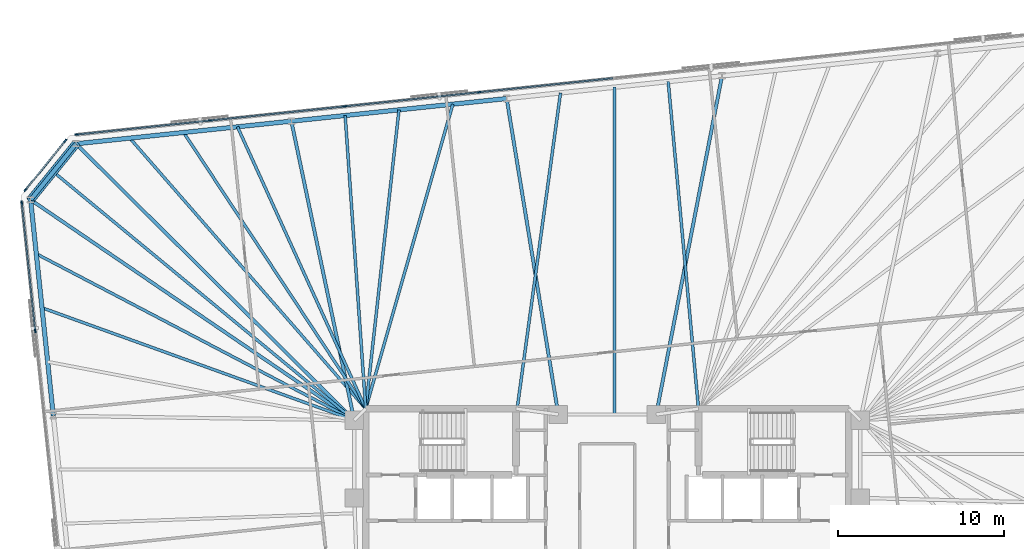
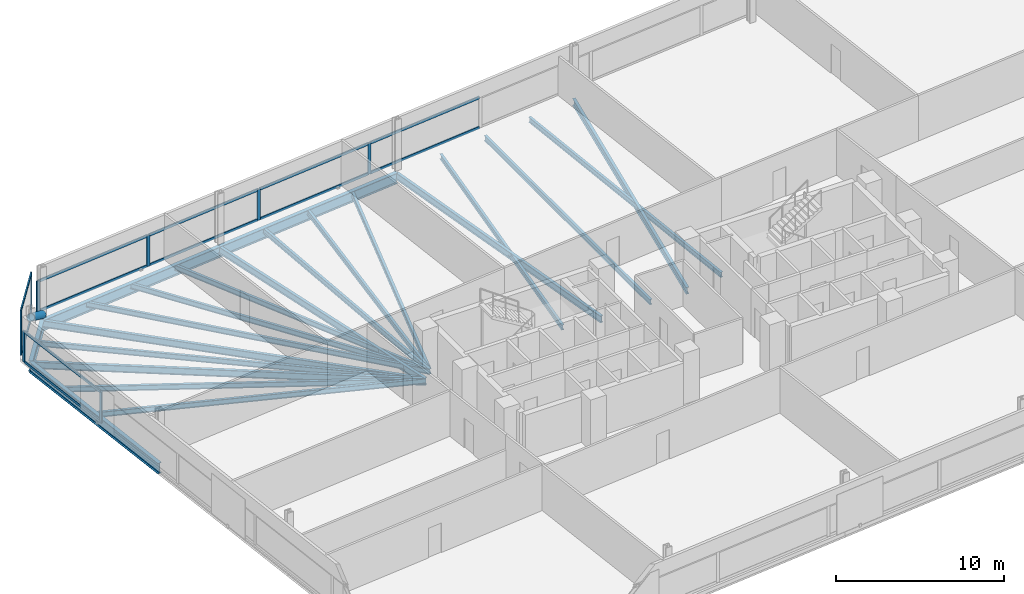
# One storey, part 9 of 18: 21 beams, 21 members, 3 elements without a shape of their own.
"""IFC4 building model written with IfcOpenShell, lengths in metres."""

from ifc_helpers import new_model, si_unit, direction, frame, origin, origin_2d, place, context, subcontext, project, spatial, rectangle, hollow_circle, i_section, extrude, material, material_profile, profile_set, type_object, element, aggregate, save


model = new_model("IFC4")

# Units and contexts
model_context = context("Model", 3, precision=1e-05, world=origin(), true_north=direction((0.0, 1.0)))
body_context = subcontext(model_context, "Body", "Model", "MODEL_VIEW")
ifc_project = project(units=[si_unit("LENGTHUNIT", "METRE"), si_unit("AREAUNIT", "SQUARE_METRE"), si_unit("VOLUMEUNIT", "CUBIC_METRE"), si_unit("PLANEANGLEUNIT", "RADIAN"), si_unit("MASSUNIT", "GRAM", prefix="KILO")], contexts=[model_context])

# Site, building, storey
site_placement = place(None, origin())
site = spatial("IfcSite", under=ifc_project, at=site_placement, CompositionType="ELEMENT")
building_placement = place(site_placement, origin())
building = spatial("IfcBuilding", under=site, at=building_placement, Name="Menara Jurai Vektor", CompositionType="ELEMENT")
storey_placement = place(building_placement, frame((0.0, 0.0, 139.199951171875)))
storey = spatial("IfcBuildingStorey", under=building, at=storey_placement, Name="L35", CompositionType="ELEMENT", Elevation=139.199951171875)

# Curtain wall, members
ifc_material_1 = material(Name="Anodised Pale Aluminium & Low-E Double Glazing", Category="aluminium")
curtain_wall_type = type_object("IfcCurtainWallType", Name="CW-BLK2", PredefinedType="NOTDEFINED", material=ifc_material_1)
curtain_wall_1_placement = place(storey_placement, origin())
curtain_wall_1 = element("IfcCurtainWall", 1, at=curtain_wall_1_placement, inside=storey, type_object=curtain_wall_type, Name="Unitised Curtain Wall L35 F05", PredefinedType="NOTDEFINED")
ifc_material_2 = material(Name="Anodised Pale Aluminium Mullion", Category="aluminium")
ifc_material_profile_1 = material_profile(ifc_material_2, rectangle(XDim=0.090087890625, YDim=0.219970703125, at=origin_2d()), Name="ALU MUL 90x220")
ifc_profile_set_1 = profile_set([ifc_material_profile_1], Name="Anodised Pale Aluminium Mullion")
member_type_1 = type_object("IfcMemberType", Name="CW-BLK2-MUL", PredefinedType="MULLION", material=ifc_profile_set_1)
member_1_placement = place(storey_placement, frame((-7.728271484375, 24.67138671875, 0.0), z_axis=(0.0, 0.0, 1.0), x_axis=(0.104528634935, -0.994521877325, 0.0)))
member_1 = element("IfcMember", 2, at=member_1_placement, type_object=member_type_1, Name="CW-02 mullion 6", PredefinedType="MULLION", context=body_context, shape_type="SweptSolid", body=[
    extrude(rectangle(XDim=0.090087890625, YDim=0.219970703125, at=origin_2d()), origin(), (0.0, 0.0, 1.0), 2.259033203125),
])
member_2_placement = place(storey_placement, frame((-15.826171875, 23.8203125, 0.0), z_axis=(0.0, 0.0, 1.0), x_axis=(0.104528634935, -0.994521877325, 0.0)))
member_2 = element("IfcMember", 3, at=member_2_placement, type_object=member_type_1, Name="CW-02 mullion 7", PredefinedType="MULLION", context=body_context, shape_type="SweptSolid", body=[
    extrude(rectangle(XDim=0.090087890625, YDim=0.219970703125, at=origin_2d()), origin(), (0.0, 0.0, 1.0), 2.259033203125),
])
member_3_placement = place(storey_placement, frame((-23.924072265625, 22.96923828125, 0.0), z_axis=(0.0, 0.0, 1.0), x_axis=(0.104528634935, -0.994521877325, 0.0)))
member_3 = element("IfcMember", 4, at=member_3_placement, type_object=member_type_1, Name="CW-02 mullion 8", PredefinedType="MULLION", context=body_context, shape_type="SweptSolid", body=[
    extrude(rectangle(XDim=0.090087890625, YDim=0.219970703125, at=origin_2d()), origin(), (0.0, 0.0, 1.0), 2.259033203125),
])
member_4_placement = place(storey_placement, frame((-31.97705078125, 22.122802734375, 0.0), z_axis=(0.0, 0.0, 1.0), x_axis=(0.104528634935, -0.994521877325, 0.0)))
member_4 = element("IfcMember", 5, at=member_4_placement, type_object=member_type_1, Name="CW-02 mullion 9", PredefinedType="MULLION", context=body_context, shape_type="SweptSolid", body=[
    extrude(rectangle(XDim=0.090087890625, YDim=0.219970703125, at=origin_2d()), origin(), (0.0, 0.0, 1.0), 2.259033203125),
])

curtain_wall_2_placement = place(storey_placement, origin())
curtain_wall_2 = element("IfcCurtainWall", 6, at=curtain_wall_2_placement, inside=storey, type_object=curtain_wall_type, Name="Unitised Curtain Wall L35 F06", PredefinedType="NOTDEFINED")
member_5_placement = place(storey_placement, frame((-32.667236328125, 21.748046875, 0.0), z_axis=(0.0, 0.0, 1.0), x_axis=(0.777129222223, -0.62934106172, 0.0)))
member_5 = element("IfcMember", 7, at=member_5_placement, type_object=member_type_1, Name="CW-02 mullion 1", PredefinedType="MULLION", context=body_context, shape_type="SweptSolid", body=[
    extrude(rectangle(XDim=0.090087890625, YDim=0.219970703125, at=origin_2d()), origin(), (0.0, 0.0, 1.0), 3.295166015625),
])
member_6_placement = place(storey_placement, frame((-35.0693359375, 18.781982421875, 0.0), z_axis=(0.0, 0.0, 1.0), x_axis=(0.777129222223, -0.62934106172, 0.0)))
member_6 = element("IfcMember", 8, at=member_6_placement, type_object=member_type_1, Name="CW-02 mullion 2", PredefinedType="MULLION", context=body_context, shape_type="SweptSolid", body=[
    extrude(rectangle(XDim=0.090087890625, YDim=0.219970703125, at=origin_2d()), origin(), (0.0, 0.0, 1.0), 3.295166015625),
])

curtain_wall_3_placement = place(storey_placement, origin())
curtain_wall_3 = element("IfcCurtainWall", 9, at=curtain_wall_3_placement, inside=storey, type_object=curtain_wall_type, Name="Unitised Curtain Wall L35 F07", PredefinedType="NOTDEFINED")
member_7_placement = place(storey_placement, frame((-35.29248046875, 18.029052734375, 0.0), z_axis=(0.0, 0.0, 1.0), x_axis=(0.99452177832, 0.104529576902, 0.0)))
member_7 = element("IfcMember", 10, at=member_7_placement, type_object=member_type_1, Name="CW-02 mullion 1", PredefinedType="MULLION", context=body_context, shape_type="SweptSolid", body=[
    extrude(rectangle(XDim=0.090087890625, YDim=0.219970703125, at=origin_2d()), origin(), (0.0, 0.0, 1.0), 2.259033203125),
])
member_8_placement = place(storey_placement, frame((-34.478759765625, 10.28857421875, 0.0), z_axis=(0.0, 0.0, 1.0), x_axis=(0.99452177832, 0.104529576902, 0.0)))
member_8 = element("IfcMember", 11, at=member_8_placement, type_object=member_type_1, Name="CW-02 mullion 2", PredefinedType="MULLION", context=body_context, shape_type="SweptSolid", body=[
    extrude(rectangle(XDim=0.090087890625, YDim=0.219970703125, at=origin_2d()), origin(), (0.0, 0.0, 1.0), 2.259033203125),
])

# Member
ifc_material_3 = material(Name="Anodised Pale Aluminium Transom", Category="aluminium")
ifc_material_profile_2 = material_profile(ifc_material_3, rectangle(XDim=0.090087890625, YDim=0.18505859375, at=origin_2d()), Name="ALU TRN 90x185")
ifc_profile_set_2 = profile_set([ifc_material_profile_2], Name="Anodised Pale Aluminium Transom")
member_type_2 = type_object("IfcMemberType", Name="CW-BLK2-TRN", PredefinedType="USERDEFINED", material=ifc_profile_set_2)
member_9_placement = place(storey_placement, frame((0.324951171875, 25.517822265625, 0.045166015625), z_axis=(-0.99452387809, -0.104509597213, 0.0), x_axis=(0.104509597213, -0.99452387809, 0.0)))
member_9 = element("IfcMember", 12, at=member_9_placement, type_object=member_type_2, Name="CW-02 transom 5.1", ObjectType="TRANSOM", PredefinedType="USERDEFINED", context=body_context, shape_type="SweptSolid", body=[
    extrude(rectangle(XDim=0.090087890625, YDim=0.18505859375, at=origin_2d()), origin(), (0.0, 0.0, 1.0), 8.052490234375),
])

member_10_placement = place(storey_placement, frame((0.324951171875, 25.517822265625, 2.214111328125), z_axis=(-0.99452387809, -0.104509597213, 0.0), x_axis=(0.104509597213, -0.99452387809, 0.0)))
member_10 = element("IfcMember", 13, at=member_10_placement, type_object=member_type_2, Name="CW-02 transom 5.2", ObjectType="TRANSOM", PredefinedType="USERDEFINED", context=body_context, shape_type="SweptSolid", body=[
    extrude(rectangle(XDim=0.090087890625, YDim=0.18505859375, at=origin_2d()), origin(), (0.0, 0.0, 1.0), 8.052490234375),
])

member_11_placement = place(storey_placement, frame((-7.77294921875, 24.666748046875, 0.045166015625), z_axis=(-0.994520726373, -0.10453958492, 0.0), x_axis=(0.10453958492, -0.994520726373, 0.0)))
member_11 = element("IfcMember", 14, at=member_11_placement, type_object=member_type_2, Name="CW-02 transom 6.1", ObjectType="TRANSOM", PredefinedType="USERDEFINED", context=body_context, shape_type="SweptSolid", body=[
    extrude(rectangle(XDim=0.090087890625, YDim=0.18505859375, at=origin_2d()), origin(), (0.0, 0.0, 1.0), 8.052490234375),
])

member_12_placement = place(storey_placement, frame((-7.77294921875, 24.666748046875, 2.214111328125), z_axis=(-0.994520726373, -0.10453958492, 0.0), x_axis=(0.10453958492, -0.994520726373, 0.0)))
member_12 = element("IfcMember", 15, at=member_12_placement, type_object=member_type_2, Name="CW-02 transom 6.2", ObjectType="TRANSOM", PredefinedType="USERDEFINED", context=body_context, shape_type="SweptSolid", body=[
    extrude(rectangle(XDim=0.090087890625, YDim=0.18505859375, at=origin_2d()), origin(), (0.0, 0.0, 1.0), 8.052490234375),
])

member_13_placement = place(storey_placement, frame((-15.870849609375, 23.815673828125, 0.045166015625), z_axis=(-0.994520726373, -0.10453958492, 0.0), x_axis=(0.10453958492, -0.994520726373, 0.0)))
member_13 = element("IfcMember", 16, at=member_13_placement, type_object=member_type_2, Name="CW-02 transom 7.1", ObjectType="TRANSOM", PredefinedType="USERDEFINED", context=body_context, shape_type="SweptSolid", body=[
    extrude(rectangle(XDim=0.090087890625, YDim=0.18505859375, at=origin_2d()), origin(), (0.0, 0.0, 1.0), 8.052490234375),
])

member_14_placement = place(storey_placement, frame((-15.870849609375, 23.815673828125, 2.214111328125), z_axis=(-0.994520726373, -0.10453958492, 0.0), x_axis=(0.10453958492, -0.994520726373, 0.0)))
member_14 = element("IfcMember", 17, at=member_14_placement, type_object=member_type_2, Name="CW-02 transom 7.2", ObjectType="TRANSOM", PredefinedType="USERDEFINED", context=body_context, shape_type="SweptSolid", body=[
    extrude(rectangle(XDim=0.090087890625, YDim=0.18505859375, at=origin_2d()), origin(), (0.0, 0.0, 1.0), 8.052490234375),
])

member_15_placement = place(storey_placement, frame((-23.96875, 22.964599609375, 0.045166015625), z_axis=(-0.994519977808, -0.104546706027, 0.0), x_axis=(0.104546706027, -0.994519977808, 0.0)))
member_15 = element("IfcMember", 18, at=member_15_placement, type_object=member_type_2, Name="CW-02 transom 8.1", ObjectType="TRANSOM", PredefinedType="USERDEFINED", context=body_context, shape_type="SweptSolid", body=[
    extrude(rectangle(XDim=0.090087890625, YDim=0.18505859375, at=origin_2d()), origin(), (0.0, 0.0, 1.0), 8.007568359375),
])

member_16_placement = place(storey_placement, frame((-23.96875, 22.964599609375, 2.214111328125), z_axis=(-0.994519977808, -0.104546706027, 0.0), x_axis=(0.104546706027, -0.994519977808, 0.0)))
member_16 = element("IfcMember", 19, at=member_16_placement, type_object=member_type_2, Name="CW-02 transom 8.2", ObjectType="TRANSOM", PredefinedType="USERDEFINED", context=body_context, shape_type="SweptSolid", body=[
    extrude(rectangle(XDim=0.090087890625, YDim=0.18505859375, at=origin_2d()), origin(), (0.0, 0.0, 1.0), 8.007568359375),
])

aggregate(curtain_wall_1, [member_1, member_2, member_3, member_4, member_9, member_10, member_11, member_12, member_13, member_14, member_15, member_16])

member_17_placement = place(storey_placement, frame((-32.695556640625, 21.713134765625, 0.045166015625), z_axis=(-0.6293414396, -0.777128916205, 0.0), x_axis=(0.777128916205, -0.6293414396, 0.0)))
member_17 = element("IfcMember", 20, at=member_17_placement, type_object=member_type_2, Name="CW-02 transom 1.1", ObjectType="TRANSOM", PredefinedType="USERDEFINED", context=body_context, shape_type="SweptSolid", body=[
    extrude(rectangle(XDim=0.090087890625, YDim=0.18505859375, at=origin_2d()), origin(), (0.0, 0.0, 1.0), 3.726806640625),
])

member_18_placement = place(storey_placement, frame((-32.695556640625, 21.713134765625, 3.25), z_axis=(-0.6293414396, -0.777128916205, 0.0), x_axis=(0.777128916205, -0.6293414396, 0.0)))
member_18 = element("IfcMember", 21, at=member_18_placement, type_object=member_type_2, Name="CW-02 transom 1.2", ObjectType="TRANSOM", PredefinedType="USERDEFINED", context=body_context, shape_type="SweptSolid", body=[
    extrude(rectangle(XDim=0.090087890625, YDim=0.18505859375, at=origin_2d()), origin(), (0.0, 0.0, 1.0), 3.726806640625),
])

aggregate(curtain_wall_2, [member_5, member_6, member_17, member_18])

member_19_placement = place(storey_placement, frame((-35.28759765625, 17.984130859375, 0.045166015625), z_axis=(0.104504716935, -0.994524390922, 0.0), x_axis=(0.994524390922, 0.104504716935, 0.0)))
member_19 = element("IfcMember", 22, at=member_19_placement, type_object=member_type_2, Name="CW-02 transom 1.1", ObjectType="TRANSOM", PredefinedType="USERDEFINED", context=body_context, shape_type="SweptSolid", body=[
    extrude(rectangle(XDim=0.090087890625, YDim=0.18505859375, at=origin_2d()), origin(), (0.0, 0.0, 1.0), 7.693115234375),
])

member_20_placement = place(storey_placement, frame((-35.28759765625, 17.984130859375, 2.214111328125), z_axis=(0.104504716935, -0.994524390922, 0.0), x_axis=(0.994524390922, 0.104504716935, 0.0)))
member_20 = element("IfcMember", 23, at=member_20_placement, type_object=member_type_2, Name="CW-02 transom 1.2", ObjectType="TRANSOM", PredefinedType="USERDEFINED", context=body_context, shape_type="SweptSolid", body=[
    extrude(rectangle(XDim=0.090087890625, YDim=0.18505859375, at=origin_2d()), origin(), (0.0, 0.0, 1.0), 7.693115234375),
])

aggregate(curtain_wall_3, [member_7, member_8, member_19, member_20])

# Beams
ifc_material_4 = material(Name="Steel S355", Category="steel")
ifc_material_profile_3 = material_profile(ifc_material_4, i_section(OverallWidth=0.199951171875, OverallDepth=0.5, WebThickness=0.011962890625, FlangeThickness=0.02001953125, at=origin_2d()), Name="PG 500x200x96")
ifc_profile_set_3 = profile_set([ifc_material_profile_3], Name="Steel S355")
beam_type_1 = type_object("IfcBeamType", Name="STR-BM-500", PredefinedType="BEAM", material=ifc_profile_set_3)
beam_1_placement = place(storey_placement, frame((6.9169921875, 25.65771484375, -0.474853515625), z_axis=(-0.190817481746, -0.981625533826, 0.0), x_axis=(0.981625533826, -0.190817481746, 0.0)))
element("IfcBeam", 24, at=beam_1_placement, inside=storey, type_object=beam_type_1, Name="Radial Floor Girder L35-N3", PredefinedType="BEAM", context=body_context, shape_type="SweptSolid", body=[
    extrude(i_section(OverallWidth=0.199951171875, OverallDepth=0.5, WebThickness=0.011962890625, FlangeThickness=0.02001953125, at=origin_2d()), origin(), (0.0, 0.0, 1.0), 20.789794921875),
])
beam_2_placement = place(storey_placement, frame((-6.0625, 24.29345703125, -0.474853515625), z_axis=(0.161304178177, -0.986904738109, 0.0), x_axis=(0.986904738109, 0.161304178177, 0.0)))
element("IfcBeam", 25, at=beam_2_placement, inside=storey, type_object=beam_type_1, Name="Radial Floor Girder L35-N4", PredefinedType="BEAM", context=body_context, shape_type="SweptSolid", body=[
    extrude(i_section(OverallWidth=0.199951171875, OverallDepth=0.5, WebThickness=0.011962890625, FlangeThickness=0.02001953125, at=origin_2d()), origin(), (0.0, 0.0, 1.0), 19.296142578125),
])
beam_3_placement = place(storey_placement, frame((-19.042236328125, 22.92919921875, -0.474853515625), z_axis=(0.205833499861, -0.978587027471, 0.0), x_axis=(0.978587027471, 0.205833499861, 0.0)))
element("IfcBeam", 26, at=beam_3_placement, inside=storey, type_object=beam_type_1, Name="Radial Floor Girder L35-N5", PredefinedType="BEAM", context=body_context, shape_type="SweptSolid", body=[
    extrude(i_section(OverallWidth=0.199951171875, OverallDepth=0.5, WebThickness=0.011962890625, FlangeThickness=0.02001953125, at=origin_2d()), origin(), (0.0, 0.0, 1.0), 18.423828125),
])
beam_4_placement = place(storey_placement, frame((-32.02197265625, 21.565185546875, -0.474853515625), z_axis=(0.709359361276, -0.704847002242, 0.0), x_axis=(0.704847002242, 0.709359361276, 0.0)))
element("IfcBeam", 27, at=beam_4_placement, inside=storey, type_object=beam_type_1, Name="Radial Floor Girder L35-N6", PredefinedType="BEAM", context=body_context, shape_type="SweptSolid", body=[
    extrude(i_section(OverallWidth=0.199951171875, OverallDepth=0.5, WebThickness=0.011962890625, FlangeThickness=0.02001953125, at=origin_2d()), origin(), (0.0, 0.0, 1.0), 23.643798828125),
])
beam_5_placement = place(storey_placement, frame((-34.756103515625, 18.188720703125, -0.474853515625), z_axis=(0.826440214756, -0.563024485643, 0.0), x_axis=(0.563024485643, 0.826440214756, 0.0)))
element("IfcBeam", 28, at=beam_5_placement, inside=storey, type_object=beam_type_1, Name="Radial Floor Girder L35-W1", PredefinedType="BEAM", context=body_context, shape_type="SweptSolid", body=[
    extrude(i_section(OverallWidth=0.199951171875, OverallDepth=0.5, WebThickness=0.011962890625, FlangeThickness=0.02001953125, at=origin_2d()), origin(), (0.0, 0.0, 1.0), 23.6025390625),
])

# Member
ifc_material_5 = material(Name="Steel S460", Category="steel")
ifc_material_profile_4 = material_profile(ifc_material_5, hollow_circle(Radius=0.25390625, WallThickness=0.02001953125, at=origin_2d()), Name="CHS 508x20")
ifc_profile_set_4 = profile_set([ifc_material_profile_4], Name="Steel S460")
member_type_3 = type_object("IfcMemberType", Name="STR-BR-508", PredefinedType="BRACE", material=ifc_profile_set_4)
member_21_placement = place(storey_placement, frame((-32.02197265625, 21.565185546875, 0.150146484375), z_axis=(-0.529254723627, -0.653593430464, 0.541022240922), x_axis=(0.777154568396, -0.629309762217, 0.0)))
element("IfcMember", 29, at=member_21_placement, inside=storey, type_object=member_type_3, Name="Exoskeleton Corner Brace L35-3", PredefinedType="BRACE", context=body_context, shape_type="SweptSolid", body=[
    extrude(hollow_circle(Radius=0.25390625, WallThickness=0.02001953125, at=origin_2d()), origin(), (0.0, 0.0, 1.0), 5.166015625),
])

# Beams
ifc_material_profile_5 = material_profile(ifc_material_4, i_section(OverallWidth=0.175048828125, OverallDepth=0.3798828125, WebThickness=0.010009765625, FlangeThickness=0.014892578125, at=origin_2d()), Name="PG 380x175x58")
ifc_profile_set_5 = profile_set([ifc_material_profile_5], Name="Steel S355")
beam_type_2 = type_object("IfcBeamType", Name="STR-JS-380", PredefinedType="JOIST", material=ifc_profile_set_5)
beam_6_placement = place(storey_placement, frame((3.672119140625, 25.316650390625, -0.4150390625), z_axis=(0.092312082085, -0.995730123829, 0.0), x_axis=(0.995730123829, 0.092312082085, 0.0)))
element("IfcBeam", 30, at=beam_6_placement, inside=storey, type_object=beam_type_2, Name="Radial Secondary Floor Joist L35-JS26", PredefinedType="JOIST", context=body_context, shape_type="SweptSolid", body=[
    extrude(i_section(OverallWidth=0.175048828125, OverallDepth=0.3798828125, WebThickness=0.010009765625, FlangeThickness=0.014892578125, at=origin_2d()), origin(), (0.0, 0.0, 1.0), 19.801025390625),
])
beam_7_placement = place(storey_placement, frame((0.42724609375, 24.9755859375, -0.4150390625), z_axis=(0.0, -1.0, 0.0), x_axis=(1.0, 0.0, 0.0)))
element("IfcBeam", 31, at=beam_7_placement, inside=storey, type_object=beam_type_2, Name="Radial Secondary Floor Joist L35-JS27", PredefinedType="JOIST", context=body_context, shape_type="SweptSolid", body=[
    extrude(i_section(OverallWidth=0.175048828125, OverallDepth=0.3798828125, WebThickness=0.010009765625, FlangeThickness=0.014892578125, at=origin_2d()), origin(), (0.0, 0.0, 1.0), 19.7255859375),
])
beam_8_placement = place(storey_placement, frame((-2.817626953125, 24.634521484375, -0.4150390625), z_axis=(-0.135987109192, -0.990710606652, 0.0), x_axis=(0.990710606652, -0.135987109192, 0.0)))
element("IfcBeam", 32, at=beam_8_placement, inside=storey, type_object=beam_type_2, Name="Radial Secondary Floor Joist L35-JS28", PredefinedType="JOIST", context=body_context, shape_type="SweptSolid", body=[
    extrude(i_section(OverallWidth=0.175048828125, OverallDepth=0.3798828125, WebThickness=0.010009765625, FlangeThickness=0.014892578125, at=origin_2d()), origin(), (0.0, 0.0, 1.0), 19.222412109375),
])
beam_9_placement = place(storey_placement, frame((-9.3076171875, 23.952392578125, -0.4150390625), z_axis=(-0.275153530359, -0.961400298903, 0.0), x_axis=(0.961400298903, -0.275153530359, 0.0)))
element("IfcBeam", 33, at=beam_9_placement, inside=storey, type_object=beam_type_2, Name="Radial Secondary Floor Joist L35-JS29", PredefinedType="JOIST", context=body_context, shape_type="SweptSolid", body=[
    extrude(i_section(OverallWidth=0.175048828125, OverallDepth=0.3798828125, WebThickness=0.010009765625, FlangeThickness=0.014892578125, at=origin_2d()), origin(), (0.0, 0.0, 1.0), 19.089111328125),
])
beam_10_placement = place(storey_placement, frame((-12.552490234375, 23.611328125, -0.4150390625), z_axis=(-0.110776028048, -0.993845396231, 0.0), x_axis=(0.993845396231, -0.110776028048, 0.0)))
element("IfcBeam", 34, at=beam_10_placement, inside=storey, type_object=beam_type_2, Name="Radial Secondary Floor Joist L35-JS30", PredefinedType="JOIST", context=body_context, shape_type="SweptSolid", body=[
    extrude(i_section(OverallWidth=0.175048828125, OverallDepth=0.3798828125, WebThickness=0.010009765625, FlangeThickness=0.014892578125, at=origin_2d()), origin(), (0.0, 0.0, 1.0), 18.122802734375),
])
beam_11_placement = place(storey_placement, frame((-15.79736328125, 23.2705078125, -0.4150390625), z_axis=(0.069850249402, -0.997557488398, 0.0), x_axis=(0.997557488398, 0.069850249402, 0.0)))
element("IfcBeam", 35, at=beam_11_placement, inside=storey, type_object=beam_type_2, Name="Radial Secondary Floor Joist L35-JS31", PredefinedType="JOIST", context=body_context, shape_type="SweptSolid", body=[
    extrude(i_section(OverallWidth=0.175048828125, OverallDepth=0.3798828125, WebThickness=0.010009765625, FlangeThickness=0.014892578125, at=origin_2d()), origin(), (0.0, 0.0, 1.0), 17.713623046875),
])
beam_12_placement = place(storey_placement, frame((-22.287109375, 22.58837890625, -0.4150390625), z_axis=(0.414029617818, -0.910263409992, 0.0), x_axis=(0.910263409992, 0.414029617818, 0.0)))
element("IfcBeam", 36, at=beam_12_placement, inside=storey, type_object=beam_type_2, Name="Radial Secondary Floor Joist L35-JS32", PredefinedType="JOIST", context=body_context, shape_type="SweptSolid", body=[
    extrude(i_section(OverallWidth=0.175048828125, OverallDepth=0.3798828125, WebThickness=0.010009765625, FlangeThickness=0.014892578125, at=origin_2d()), origin(), (0.0, 0.0, 1.0), 18.6630859375),
])
beam_13_placement = place(storey_placement, frame((-25.531982421875, 22.247314453125, -0.4150390625), z_axis=(0.550309675793, -0.834960634239, 0.0), x_axis=(0.834960634239, 0.550309675793, 0.0)))
element("IfcBeam", 37, at=beam_13_placement, inside=storey, type_object=beam_type_2, Name="Radial Secondary Floor Joist L35-JS33", PredefinedType="JOIST", context=body_context, shape_type="SweptSolid", body=[
    extrude(i_section(OverallWidth=0.175048828125, OverallDepth=0.3798828125, WebThickness=0.010009765625, FlangeThickness=0.014892578125, at=origin_2d()), origin(), (0.0, 0.0, 1.0), 19.937744140625),
])
beam_14_placement = place(storey_placement, frame((-28.777099609375, 21.90625, -0.4150390625), z_axis=(0.657172520545, -0.753740192798, 0.0), x_axis=(0.753740192798, 0.657172520545, 0.0)))
element("IfcBeam", 38, at=beam_14_placement, inside=storey, type_object=beam_type_2, Name="Radial Secondary Floor Joist L35-JS34", PredefinedType="JOIST", context=body_context, shape_type="SweptSolid", body=[
    extrude(i_section(OverallWidth=0.175048828125, OverallDepth=0.3798828125, WebThickness=0.010009765625, FlangeThickness=0.014892578125, at=origin_2d()), origin(), (0.0, 0.0, 1.0), 21.633544921875),
])
beam_15_placement = place(storey_placement, frame((-33.388916015625, 19.876953125, -0.4150390625), z_axis=(0.771113505069, -0.636697700876, 0.0), x_axis=(0.636697700876, 0.771113505069, 0.0)))
element("IfcBeam", 39, at=beam_15_placement, inside=storey, type_object=beam_type_2, Name="Radial Secondary Floor Joist L35-JS35", PredefinedType="JOIST", context=body_context, shape_type="SweptSolid", body=[
    extrude(i_section(OverallWidth=0.175048828125, OverallDepth=0.3798828125, WebThickness=0.010009765625, FlangeThickness=0.014892578125, at=origin_2d()), origin(), (0.0, 0.0, 1.0), 23.52294921875),
])
beam_16_placement = place(storey_placement, frame((-34.414306640625, 14.935302734375, -0.4150390625), z_axis=(0.885889402471, -0.463896504179, 0.0), x_axis=(0.463896504179, 0.885889402471, 0.0)))
element("IfcBeam", 40, at=beam_16_placement, inside=storey, type_object=beam_type_2, Name="Radial Secondary Floor Joist L35-JS36", PredefinedType="JOIST", context=body_context, shape_type="SweptSolid", body=[
    extrude(i_section(OverallWidth=0.175048828125, OverallDepth=0.3798828125, WebThickness=0.010009765625, FlangeThickness=0.014892578125, at=origin_2d()), origin(), (0.0, 0.0, 1.0), 21.6328125),
])
beam_17_placement = place(storey_placement, frame((-34.072265625, 11.681884765625, -0.4150390625), z_axis=(0.940792327273, -0.338983475917, 0.0), x_axis=(0.338983475917, 0.940792327273, 0.0)))
element("IfcBeam", 41, at=beam_17_placement, inside=storey, type_object=beam_type_2, Name="Radial Secondary Floor Joist L35-JS37", PredefinedType="JOIST", context=body_context, shape_type="SweptSolid", body=[
    extrude(i_section(OverallWidth=0.175048828125, OverallDepth=0.3798828125, WebThickness=0.010009765625, FlangeThickness=0.014892578125, at=origin_2d()), origin(), (0.0, 0.0, 1.0), 20.0068359375),
])
ifc_material_profile_6 = material_profile(ifc_material_5, i_section(OverallWidth=0.26806640625, OverallDepth=0.77001953125, WebThickness=0.01611328125, FlangeThickness=0.02490234375, FilletRadius=0.01708984375, at=origin_2d()), Name="UKB 762x267x197")
ifc_profile_set_6 = profile_set([ifc_material_profile_6], Name="Steel S460")
beam_type_3 = type_object("IfcBeamType", Name="STR-SP-762", PredefinedType="SPANDREL", material=ifc_profile_set_6)
for number, where, z_axis, x_axis, name in (
    (42, (-6.0625, 24.29345703125, -0.60986328125), (-0.994521636083, -0.104530930169, 0.0), (0.104530930169, -0.994521636083, 0.0), "Exoskeleton Spandrel Beam L35-14"),
    (43, (-19.042236328125, 22.92919921875, -0.60986328125), (-0.994523580592, -0.104512428191, 0.0), (0.104512428191, -0.994523580592, 0.0), "Exoskeleton Spandrel Beam L35-15"),
):
    element("IfcBeam", number, at=place(storey_placement, frame(where, z_axis=z_axis, x_axis=x_axis)), inside=storey, type_object=beam_type_3, Name=name, PredefinedType="SPANDREL", context=body_context, shape_type="SweptSolid", body=[
        extrude(i_section(OverallWidth=0.26806640625, OverallDepth=0.77001953125, WebThickness=0.01611328125, FlangeThickness=0.02490234375, FilletRadius=0.01708984375, at=origin_2d()), origin(), (0.0, 0.0, 1.0), 13.05126953125),
    ])
beam_18_placement = place(storey_placement, frame((-32.02197265625, 21.565185546875, -0.60986328125), z_axis=(-0.629309762217, -0.777154568396, 0.0), x_axis=(0.777154568396, -0.629309762217, 0.0)))
element("IfcBeam", 44, at=beam_18_placement, inside=storey, type_object=beam_type_3, Name="Exoskeleton Spandrel Beam L35-16", PredefinedType="SPANDREL", context=body_context, shape_type="SweptSolid", body=[
    extrude(i_section(OverallWidth=0.26806640625, OverallDepth=0.77001953125, WebThickness=0.01611328125, FlangeThickness=0.02490234375, FilletRadius=0.01708984375, at=origin_2d()), origin(), (0.0, 0.0, 1.0), 4.3447265625),
])
beam_19_placement = place(storey_placement, frame((-34.756103515625, 18.188720703125, -0.60986328125), z_axis=(0.104538130097, -0.994520879296, 0.0), x_axis=(0.994520879296, 0.104538130097, 0.0)))
element("IfcBeam", 45, at=beam_19_placement, inside=storey, type_object=beam_type_3, Name="Exoskeleton Spandrel Beam L35-17", PredefinedType="SPANDREL", context=body_context, shape_type="SweptSolid", body=[
    extrude(i_section(OverallWidth=0.26806640625, OverallDepth=0.77001953125, WebThickness=0.01611328125, FlangeThickness=0.02490234375, FilletRadius=0.01708984375, at=origin_2d()), origin(), (0.0, 0.0, 1.0), 13.08544921875),
])

save(model, "model.ifc")
